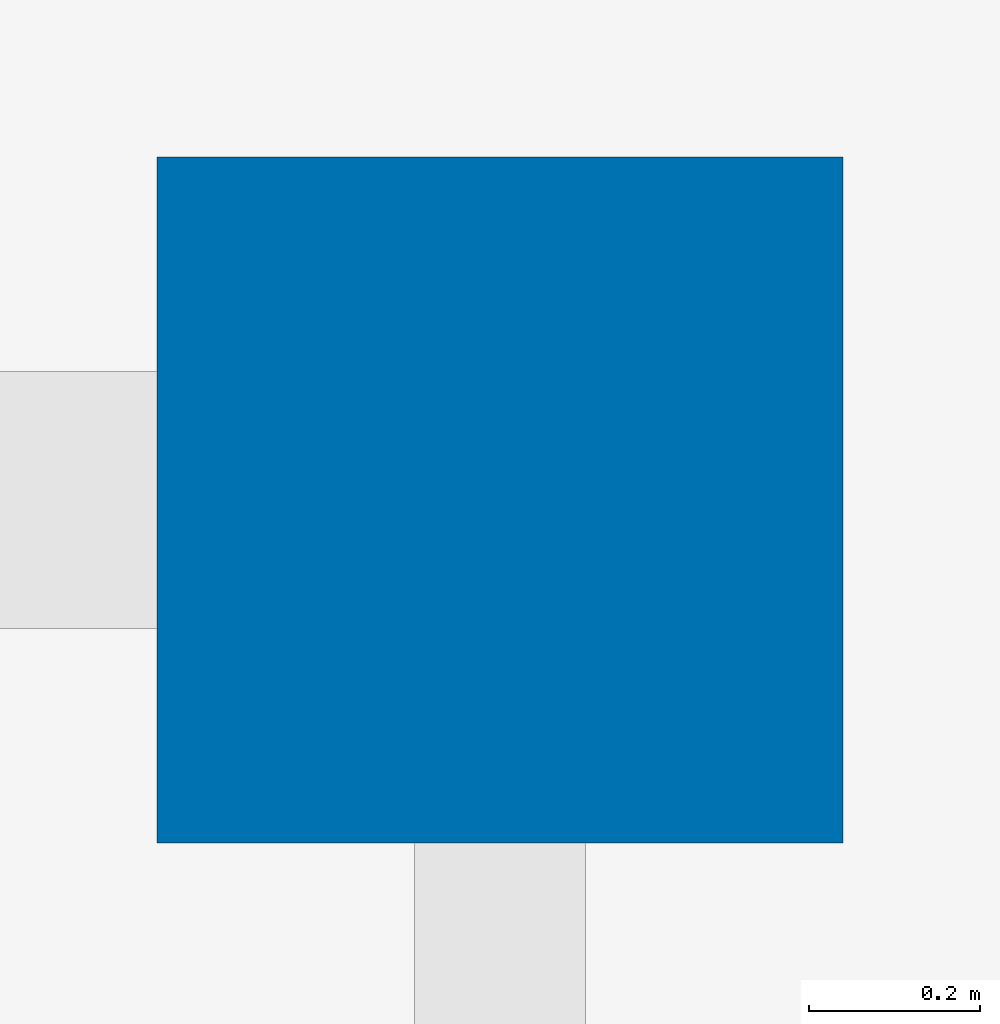
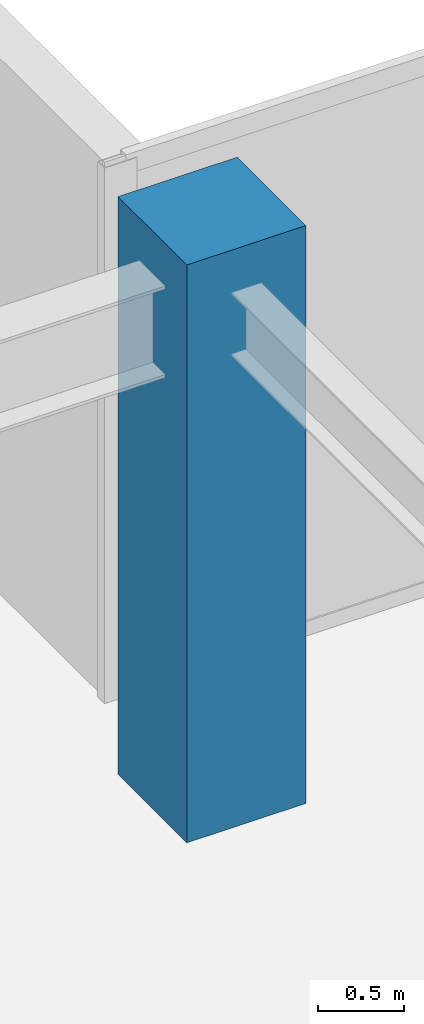
# One storey, part 4 of 33: 1 column.
"""IFC4 building model written with IfcOpenShell, lengths in metres."""

from ifc_helpers import new_model, si_unit, direction, frame, origin, origin_2d, place, context, subcontext, project, spatial, rectangle, extrude, source, transform, mapped, material, material_profile, profile_set, type_object, type_shapes, element, save


model = new_model("IFC4")

# Units and contexts
model_context = context("Model", 3, precision=1e-05, world=origin(), true_north=direction((0.0, 1.0)))
body_context = subcontext(model_context, "Body", "Model", "MODEL_VIEW")
ifc_project = project(units=[si_unit("LENGTHUNIT", "METRE"), si_unit("AREAUNIT", "SQUARE_METRE"), si_unit("VOLUMEUNIT", "CUBIC_METRE"), si_unit("PLANEANGLEUNIT", "RADIAN"), si_unit("MASSUNIT", "GRAM", prefix="KILO")], contexts=[model_context])

# Site, building, storey
site_placement = place(None, origin())
site = spatial("IfcSite", under=ifc_project, at=site_placement, CompositionType="ELEMENT")
building_placement = place(site_placement, origin())
building = spatial("IfcBuilding", under=site, at=building_placement, Name="Haelvirn Gate Laboratories", CompositionType="ELEMENT")
storey_placement = place(building_placement, frame((0.0, 0.0, 250.60009765625)))
storey = spatial("IfcBuildingStorey", under=building, at=storey_placement, Name="L60", CompositionType="ELEMENT", Elevation=250.60009765625)

# Column
ifc_material = material(Name="Concrete C50/60", Category="concrete")
ifc_material_profile = material_profile(ifc_material, rectangle(XDim=0.800048828125, YDim=0.800048828125, at=origin_2d()), Name="RC-800x800")
ifc_profile_set = profile_set([ifc_material_profile], Name="Concrete C50/60")
column_type = type_object("IfcColumnType", Name="COL-RC-800", PredefinedType="COLUMN", material=ifc_profile_set)
shared_shape = source(origin(), body_context, "Body", "SweptSolid", [
    extrude(rectangle(XDim=0.800048828125, YDim=0.800048828125, at=origin_2d()), origin(), (0.0, 0.0, 1.0), 4.099853515625),
])
type_shapes(column_type, [shared_shape])
column_placement = place(storey_placement, frame((67.39990234375, 41.60009765625, 0.0), z_axis=(0.0, 0.0, 1.0), x_axis=(1.0, 0.0, 0.0)))
element("IfcColumn", 1, at=column_placement, inside=storey, type_object=column_type, Name="L60 Column 10G", PredefinedType="COLUMN", context=body_context, shape_type="MappedRepresentation", body=[
    mapped(shared_shape, transform((0.0, 0.0, 0.0), scale=1.0)),
])

save(model, "model.ifc")
